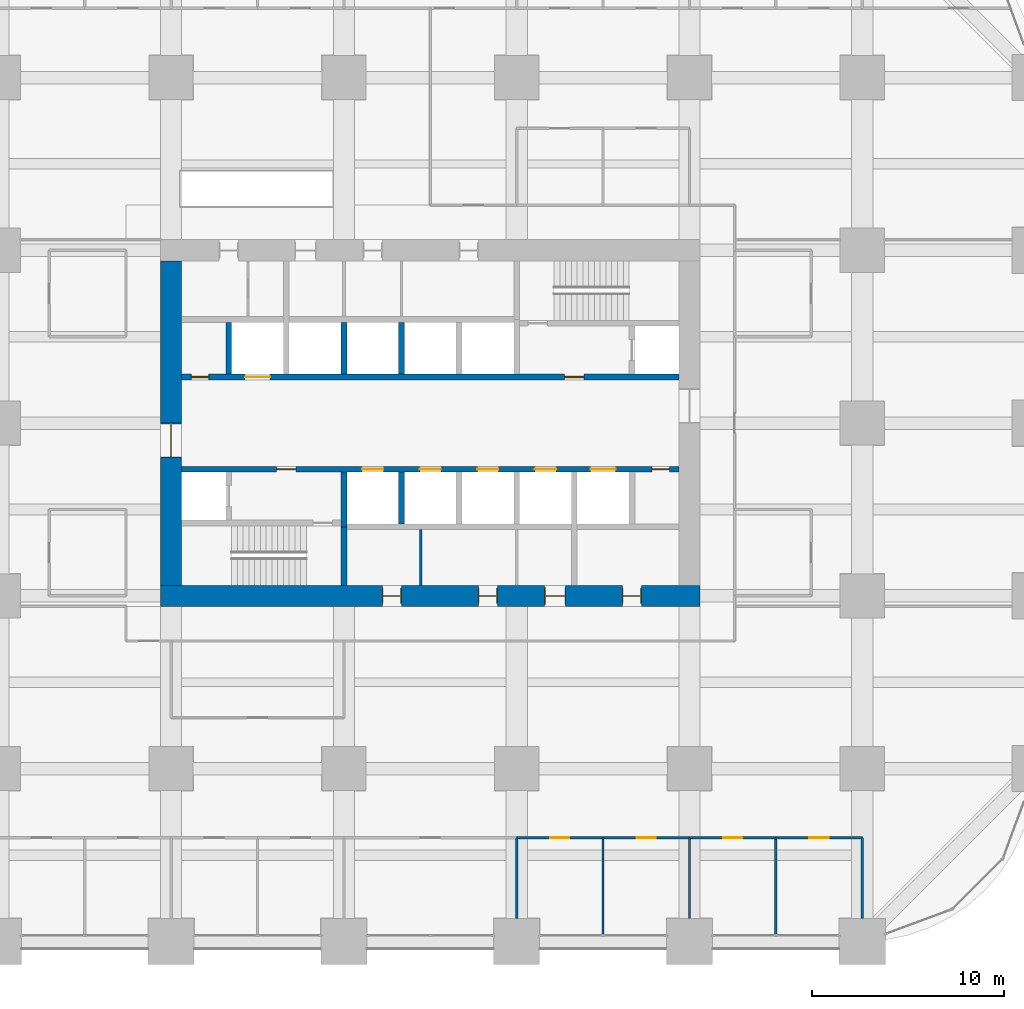
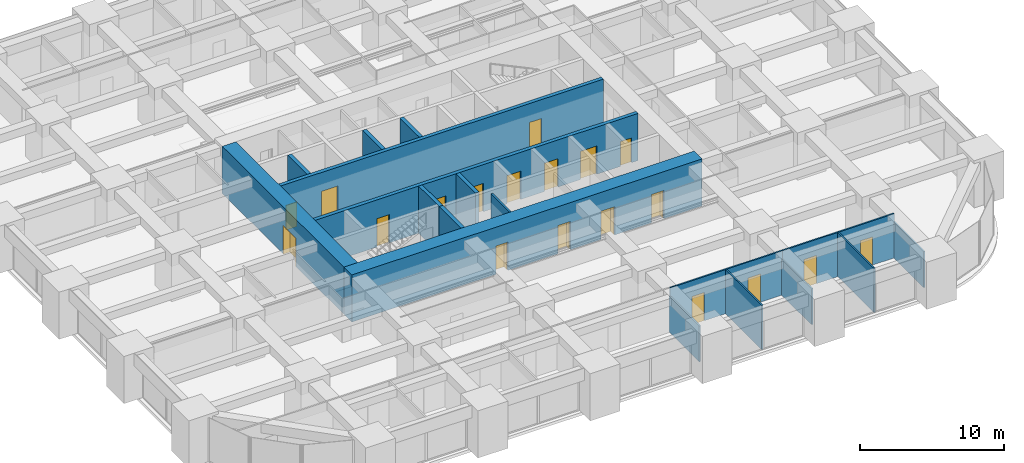
# One storey, part 40 of 44: 20 walls, 19 doors, 19 openings.
"""IFC4 building model written with IfcOpenShell, lengths in metres."""

from ifc_helpers import new_model, si_unit, direction, frame, frame_2d, origin, place, context, subcontext, project, spatial, rectangle, extrude, material, layer, layer_set, type_object, element, fill, save


model = new_model("IFC4")

# Units and contexts
model_context = context("Model", 3, precision=1e-05, world=origin(), true_north=direction((0.0, 1.0)))
body_context = subcontext(model_context, "Body", "Model", "MODEL_VIEW")
ifc_project = project(units=[si_unit("LENGTHUNIT", "METRE"), si_unit("AREAUNIT", "SQUARE_METRE"), si_unit("VOLUMEUNIT", "CUBIC_METRE"), si_unit("PLANEANGLEUNIT", "RADIAN"), si_unit("MASSUNIT", "GRAM", prefix="KILO")], contexts=[model_context])

# Site, building, storey
site_placement = place(None, origin())
site = spatial("IfcSite", under=ifc_project, at=site_placement, CompositionType="ELEMENT")
building_placement = place(site_placement, origin())
building = spatial("IfcBuilding", under=site, at=building_placement, Name="Zorevar Civic Tower", CompositionType="ELEMENT")
storey_placement = place(building_placement, frame((0.0, 0.0, 43.800048828125)))
storey = spatial("IfcBuildingStorey", under=building, at=storey_placement, Name="L10", CompositionType="ELEMENT", Elevation=43.800048828125)

# Wall, openings, doors
ifc_material_1 = material(Name="Concrete C50/60", Category="concrete")
ifc_layer_1 = layer(ifc_material_1, 1.10009765625)
ifc_layer_set_1 = layer_set([ifc_layer_1], Name="Core wall 1100")
wall_type_1 = type_object("IfcWallType", Name="Core wall 1100", PredefinedType="SHEAR", material=ifc_layer_set_1)
wall_1_placement = place(storey_placement, frame((17.449951171875, 18.0, 0.0), z_axis=(0.0, 0.0, 1.0), x_axis=(1.0, 0.0, 0.0)))
wall_1 = element("IfcWall", 1, at=wall_1_placement, inside=storey, type_object=wall_type_1, Name="Core wall S L10", PredefinedType="SHEAR", context=body_context, shape_type="SweptSolid", body=[
    extrude(rectangle(XDim=28.10009765625, YDim=1.10009765625, at=frame_2d((14.050048828125, 0.0))), origin(), (0.0, 0.0, 1.0), 4.0),
])
opening_1_placement = place(wall_1_placement, frame((11.550048828125, 0.0, 0.0)))
opening_1 = element("IfcOpeningElement", 2, at=opening_1_placement, cuts=wall_1, Name="Opening L10.03", PredefinedType="OPENING", context=body_context, shape_type="SweptSolid", body=[
    extrude(rectangle(XDim=1.0, YDim=2.39990234375, at=frame_2d((0.5, 1.199951171875))), frame((0.0, 0.56005859375, 0.0), z_axis=(0.0, -1.0, 0.0), x_axis=(1.0, 0.0, 0.0)), (0.0, 0.0, 1.0), 1.1201171875),
])
opening_2_placement = place(wall_1_placement, frame((16.550048828125, 0.0, 0.0)))
opening_2 = element("IfcOpeningElement", 3, at=opening_2_placement, cuts=wall_1, Name="Opening L10.04", PredefinedType="OPENING", context=body_context, shape_type="SweptSolid", body=[
    extrude(rectangle(XDim=1.0, YDim=2.39990234375, at=frame_2d((0.5, 1.199951171875))), frame((0.0, 0.56005859375, 0.0), z_axis=(0.0, -1.0, 0.0), x_axis=(1.0, 0.0, 0.0)), (0.0, 0.0, 1.0), 1.1201171875),
])
opening_3_placement = place(wall_1_placement, frame((20.0, 0.0, 0.0)))
opening_3 = element("IfcOpeningElement", 4, at=opening_3_placement, cuts=wall_1, Name="Opening L10.05", PredefinedType="OPENING", context=body_context, shape_type="SweptSolid", body=[
    extrude(rectangle(XDim=1.10009765625, YDim=2.39990234375, at=frame_2d((0.550048828125, 1.199951171875))), frame((0.0, 0.56005859375, 0.0), z_axis=(0.0, -1.0, 0.0), x_axis=(1.0, 0.0, 0.0)), (0.0, 0.0, 1.0), 1.1201171875),
])
opening_4_placement = place(wall_1_placement, frame((24.050048828125, 0.0, 0.0)))
opening_4 = element("IfcOpeningElement", 5, at=opening_4_placement, cuts=wall_1, Name="Opening L10.06", PredefinedType="OPENING", context=body_context, shape_type="SweptSolid", body=[
    extrude(rectangle(XDim=1.0, YDim=2.39990234375, at=frame_2d((0.5, 1.199951171875))), frame((0.0, 0.56005859375, 0.0), z_axis=(0.0, -1.0, 0.0), x_axis=(1.0, 0.0, 0.0)), (0.0, 0.0, 1.0), 1.1201171875),
])
ifc_material_2 = material(Name="Timber door set", Category="wood")
door_type_1 = type_object("IfcDoorType", Name="Door D1 1000x2400", OperationType="SINGLE_SWING_LEFT", PredefinedType="DOOR", material=ifc_material_2)
door_1_placement = place(opening_1_placement, origin())
door_1 = element("IfcDoor", 6, at=door_1_placement, inside=storey, type_object=door_type_1, Name="Door L10 02", OperationType="SINGLE_SWING_RIGHT", OverallHeight=2.39990234375, OverallWidth=1.0, PredefinedType="DOOR", context=body_context, shape_type="SweptSolid", body=[
    extrude(rectangle(XDim=1.0, YDim=2.39990234375, at=frame_2d((0.5, 1.199951171875))), frame((0.0, 0.02490234375, 0.0), z_axis=(0.0, -1.0, 0.0), x_axis=(1.0, 0.0, 0.0)), (0.0, 0.0, 1.0), 0.050048828125),
    extrude(rectangle(XDim=0.04, YDim=2.39990234375, at=frame_2d((0.02001953125, 1.199951171875))), frame((0.0, 0.39990234375, 0.0), z_axis=(0.0, -1.0, 0.0), x_axis=(1.0, 0.0, 0.0)), (0.0, 0.0, 1.0), 0.800048828125),
    extrude(rectangle(XDim=0.04, YDim=2.39990234375, at=frame_2d((0.97998046875, 1.199951171875))), frame((0.0, 0.39990234375, 0.0), z_axis=(0.0, -1.0, 0.0), x_axis=(1.0, 0.0, 0.0)), (0.0, 0.0, 1.0), 0.800048828125),
    extrude(rectangle(XDim=1.0, YDim=0.04, at=frame_2d((0.5, 2.3798828125))), frame((0.0, 0.39990234375, 0.0), z_axis=(0.0, -1.0, 0.0), x_axis=(1.0, 0.0, 0.0)), (0.0, 0.0, 1.0), 0.800048828125),
])
fill(opening_1, door_1)
door_2_placement = place(opening_2_placement, origin())
door_2 = element("IfcDoor", 7, at=door_2_placement, inside=storey, type_object=door_type_1, Name="Door L10 03", OperationType="SINGLE_SWING_LEFT", OverallHeight=2.39990234375, OverallWidth=1.0, PredefinedType="DOOR", context=body_context, shape_type="SweptSolid", body=[
    extrude(rectangle(XDim=1.0, YDim=2.39990234375, at=frame_2d((0.5, 1.199951171875))), frame((0.0, 0.02490234375, 0.0), z_axis=(0.0, -1.0, 0.0), x_axis=(1.0, 0.0, 0.0)), (0.0, 0.0, 1.0), 0.050048828125),
    extrude(rectangle(XDim=0.04, YDim=2.39990234375, at=frame_2d((0.02001953125, 1.199951171875))), frame((0.0, 0.39990234375, 0.0), z_axis=(0.0, -1.0, 0.0), x_axis=(1.0, 0.0, 0.0)), (0.0, 0.0, 1.0), 0.800048828125),
    extrude(rectangle(XDim=0.04, YDim=2.39990234375, at=frame_2d((0.97998046875, 1.199951171875))), frame((0.0, 0.39990234375, 0.0), z_axis=(0.0, -1.0, 0.0), x_axis=(1.0, 0.0, 0.0)), (0.0, 0.0, 1.0), 0.800048828125),
    extrude(rectangle(XDim=1.0, YDim=0.04, at=frame_2d((0.5, 2.3798828125))), frame((0.0, 0.39990234375, 0.0), z_axis=(0.0, -1.0, 0.0), x_axis=(1.0, 0.0, 0.0)), (0.0, 0.0, 1.0), 0.800048828125),
])
fill(opening_2, door_2)
door_3_placement = place(opening_4_placement, origin())
door_3 = element("IfcDoor", 8, at=door_3_placement, inside=storey, type_object=door_type_1, Name="Door L10 05", OperationType="SINGLE_SWING_LEFT", OverallHeight=2.39990234375, OverallWidth=1.0, PredefinedType="DOOR", context=body_context, shape_type="SweptSolid", body=[
    extrude(rectangle(XDim=1.0, YDim=2.39990234375, at=frame_2d((0.5, 1.199951171875))), frame((0.0, 0.02490234375, 0.0), z_axis=(0.0, -1.0, 0.0), x_axis=(1.0, 0.0, 0.0)), (0.0, 0.0, 1.0), 0.050048828125),
    extrude(rectangle(XDim=0.04, YDim=2.39990234375, at=frame_2d((0.02001953125, 1.199951171875))), frame((0.0, 0.39990234375, 0.0), z_axis=(0.0, -1.0, 0.0), x_axis=(1.0, 0.0, 0.0)), (0.0, 0.0, 1.0), 0.800048828125),
    extrude(rectangle(XDim=0.04, YDim=2.39990234375, at=frame_2d((0.97998046875, 1.199951171875))), frame((0.0, 0.39990234375, 0.0), z_axis=(0.0, -1.0, 0.0), x_axis=(1.0, 0.0, 0.0)), (0.0, 0.0, 1.0), 0.800048828125),
    extrude(rectangle(XDim=1.0, YDim=0.04, at=frame_2d((0.5, 2.3798828125))), frame((0.0, 0.39990234375, 0.0), z_axis=(0.0, -1.0, 0.0), x_axis=(1.0, 0.0, 0.0)), (0.0, 0.0, 1.0), 0.800048828125),
])
fill(opening_4, door_3)
ifc_material_3 = material(Name="Timber door set", Category="wood")
door_type_2 = type_object("IfcDoorType", Name="Door D5 1100x2400", OperationType="SINGLE_SWING_LEFT", PredefinedType="DOOR", material=ifc_material_3)
door_4_placement = place(opening_3_placement, origin())
door_4 = element("IfcDoor", 9, at=door_4_placement, inside=storey, type_object=door_type_2, Name="Door L10 04", OperationType="SINGLE_SWING_LEFT", OverallHeight=2.39990234375, OverallWidth=1.10009765625, PredefinedType="DOOR", context=body_context, shape_type="SweptSolid", body=[
    extrude(rectangle(XDim=1.10009765625, YDim=2.39990234375, at=frame_2d((0.550048828125, 1.199951171875))), frame((0.0, 0.02490234375, 0.0), z_axis=(0.0, -1.0, 0.0), x_axis=(1.0, 0.0, 0.0)), (0.0, 0.0, 1.0), 0.050048828125),
    extrude(rectangle(XDim=0.04, YDim=2.39990234375, at=frame_2d((0.02001953125, 1.199951171875))), frame((0.0, 0.43994140625, 0.0), z_axis=(0.0, -1.0, 0.0), x_axis=(1.0, 0.0, 0.0)), (0.0, 0.0, 1.0), 0.880126953125),
    extrude(rectangle(XDim=0.04, YDim=2.39990234375, at=frame_2d((1.080078125, 1.199951171875))), frame((0.0, 0.43994140625, 0.0), z_axis=(0.0, -1.0, 0.0), x_axis=(1.0, 0.0, 0.0)), (0.0, 0.0, 1.0), 0.880126953125),
    extrude(rectangle(XDim=1.10009765625, YDim=0.04, at=frame_2d((0.550048828125, 2.3798828125))), frame((0.0, 0.43994140625, 0.0), z_axis=(0.0, -1.0, 0.0), x_axis=(1.0, 0.0, 0.0)), (0.0, 0.0, 1.0), 0.880126953125),
])
fill(opening_3, door_4)

# Wall, opening, door
wall_2_placement = place(storey_placement, frame((18.0, 35.449951171875, 0.0), z_axis=(0.0, 0.0, 1.0), x_axis=(0.0, -1.0, 0.0)))
wall_2 = element("IfcWall", 10, at=wall_2_placement, inside=storey, type_object=wall_type_1, Name="Core wall W L10", PredefinedType="SHEAR", context=body_context, shape_type="SweptSolid", body=[
    extrude(rectangle(XDim=16.89990234375, YDim=1.10009765625, at=frame_2d((8.449951171875, 0.0))), origin(), (0.0, 0.0, 1.0), 4.0),
])
opening_5_placement = place(wall_2_placement, frame((8.449951171875, 0.0, 0.0)))
opening_5 = element("IfcOpeningElement", 11, at=opening_5_placement, cuts=wall_2, Name="Opening L10.01", PredefinedType="OPENING", context=body_context, shape_type="SweptSolid", body=[
    extrude(rectangle(XDim=1.800048828125, YDim=2.39990234375, at=frame_2d((0.89990234375, 1.199951171875))), frame((0.0, 0.56005859375, 0.0), z_axis=(0.0, -1.0, 0.0), x_axis=(1.0, 0.0, 0.0)), (0.0, 0.0, 1.0), 1.1201171875),
])
ifc_material_4 = material(Name="Steel door set", Category="steel")
door_type_3 = type_object("IfcDoorType", Name="Fire door FD2 1800x2400", OperationType="DOUBLE_DOOR_DOUBLE_SWING", PredefinedType="DOOR", material=ifc_material_4)
door_5_placement = place(opening_5_placement, origin())
door_5 = element("IfcDoor", 12, at=door_5_placement, inside=storey, type_object=door_type_3, Name="Door L10 00", OperationType="DOUBLE_DOOR_DOUBLE_SWING", OverallHeight=2.39990234375, OverallWidth=1.800048828125, PredefinedType="DOOR", context=body_context, shape_type="SweptSolid", body=[
    extrude(rectangle(XDim=1.800048828125, YDim=2.39990234375, at=frame_2d((0.89990234375, 1.199951171875))), frame((0.0, 0.030029296875, 0.0), z_axis=(0.0, -1.0, 0.0), x_axis=(1.0, 0.0, 0.0)), (0.0, 0.0, 1.0), 0.06005859375),
    extrude(rectangle(XDim=0.04, YDim=2.39990234375, at=frame_2d((0.02001953125, 1.199951171875))), frame((0.0, 0.5498046875, 0.0), z_axis=(0.0, -1.0, 0.0), x_axis=(1.0, 0.0, 0.0)), (0.0, 0.0, 1.0), 1.099609375),
    extrude(rectangle(XDim=0.04, YDim=2.39990234375, at=frame_2d((1.780029296875, 1.199951171875))), frame((0.0, 0.5498046875, 0.0), z_axis=(0.0, -1.0, 0.0), x_axis=(1.0, 0.0, 0.0)), (0.0, 0.0, 1.0), 1.099609375),
    extrude(rectangle(XDim=1.800048828125, YDim=0.04, at=frame_2d((0.89990234375, 2.3798828125))), frame((0.0, 0.5498046875, 0.0), z_axis=(0.0, -1.0, 0.0), x_axis=(1.0, 0.0, 0.0)), (0.0, 0.0, 1.0), 1.099609375),
])
fill(opening_5, door_5)

# Wall
ifc_material_5 = material(Name="Concrete C40/50", Category="concrete")
ifc_layer_2 = layer(ifc_material_5, 0.300048828125)
ifc_layer_set_2 = layer_set([ifc_layer_2], Name="Inner core wall 300")
wall_type_2 = type_object("IfcWallType", Name="Inner core wall 300", PredefinedType="SHEAR", material=ifc_layer_set_2)
wall_3_placement = place(storey_placement, frame((27.0, 18.550048828125, 0.0), z_axis=(0.0, 0.0, 1.0), x_axis=(0.0, 1.0, 0.0)))
element("IfcWall", 13, at=wall_3_placement, inside=storey, type_object=wall_type_2, Name="Inner core wall S01 L10", PredefinedType="SHEAR", context=body_context, shape_type="SweptSolid", body=[
    extrude(rectangle(XDim=3.050048828125, YDim=0.300048828125, at=frame_2d((1.52490234375, 0.0))), origin(), (0.0, 0.0, 1.0), 4.0),
])

# Wall, openings, doors
wall_4_placement = place(storey_placement, frame((18.550048828125, 24.60009765625, 0.0), z_axis=(0.0, 0.0, 1.0), x_axis=(1.0, 0.0, 0.0)))
wall_4 = element("IfcWall", 14, at=wall_4_placement, inside=storey, type_object=wall_type_2, Name="Inner core wall S03 L10", PredefinedType="SHEAR", context=body_context, shape_type="SweptSolid", body=[
    extrude(rectangle(XDim=25.89990234375, YDim=0.300048828125, at=frame_2d((12.949951171875, 0.0))), origin(), (0.0, 0.0, 1.0), 4.0),
])
opening_6_placement = place(wall_4_placement, frame((4.949951171875, 0.0, 0.0)))
opening_6 = element("IfcOpeningElement", 15, at=opening_6_placement, cuts=wall_4, Name="Opening L10.13", PredefinedType="OPENING", context=body_context, shape_type="SweptSolid", body=[
    extrude(rectangle(XDim=1.0, YDim=2.39990234375, at=frame_2d((0.5, 1.199951171875))), frame((0.0, 0.159912109375, 0.0), z_axis=(0.0, -1.0, 0.0), x_axis=(1.0, 0.0, 0.0)), (0.0, 0.0, 1.0), 0.320068359375),
])
opening_7_placement = place(wall_4_placement, frame((24.5, 0.0, 0.0)))
opening_7 = element("IfcOpeningElement", 16, at=opening_7_placement, cuts=wall_4, Name="Opening L10.15", PredefinedType="OPENING", context=body_context, shape_type="SweptSolid", body=[
    extrude(rectangle(XDim=0.89990234375, YDim=2.10009765625, at=frame_2d((0.449951171875, 1.050048828125))), frame((0.0, 0.159912109375, 0.0), z_axis=(0.0, -1.0, 0.0), x_axis=(1.0, 0.0, 0.0)), (0.0, 0.0, 1.0), 0.320068359375),
])
opening_8_placement = place(wall_4_placement, frame((9.39990234375, 0.0, 0.0)))
opening_8 = element("IfcOpeningElement", 17, at=opening_8_placement, cuts=wall_4, Name="Opening L10.LP1", PredefinedType="OPENING", context=body_context, shape_type="SweptSolid", body=[
    extrude(rectangle(XDim=1.10009765625, YDim=2.39990234375, at=frame_2d((0.550048828125, 1.199951171875))), frame((0.0, 0.159912109375, 0.0), z_axis=(0.0, -1.0, 0.0), x_axis=(1.0, 0.0, 0.0)), (0.0, 0.0, 1.0), 0.320068359375),
])
opening_9_placement = place(wall_4_placement, frame((12.39990234375, 0.0, 0.0)))
opening_9 = element("IfcOpeningElement", 18, at=opening_9_placement, cuts=wall_4, Name="Opening L10.LP2", PredefinedType="OPENING", context=body_context, shape_type="SweptSolid", body=[
    extrude(rectangle(XDim=1.10009765625, YDim=2.39990234375, at=frame_2d((0.550048828125, 1.199951171875))), frame((0.0, 0.159912109375, 0.0), z_axis=(0.0, -1.0, 0.0), x_axis=(1.0, 0.0, 0.0)), (0.0, 0.0, 1.0), 0.320068359375),
])
opening_10_placement = place(wall_4_placement, frame((15.39990234375, 0.0, 0.0)))
opening_10 = element("IfcOpeningElement", 19, at=opening_10_placement, cuts=wall_4, Name="Opening L10.LP3", PredefinedType="OPENING", context=body_context, shape_type="SweptSolid", body=[
    extrude(rectangle(XDim=1.10009765625, YDim=2.39990234375, at=frame_2d((0.550048828125, 1.199951171875))), frame((0.0, 0.159912109375, 0.0), z_axis=(0.0, -1.0, 0.0), x_axis=(1.0, 0.0, 0.0)), (0.0, 0.0, 1.0), 0.320068359375),
])
opening_11_placement = place(wall_4_placement, frame((18.39990234375, 0.0, 0.0)))
opening_11 = element("IfcOpeningElement", 20, at=opening_11_placement, cuts=wall_4, Name="Opening L10.LP4", PredefinedType="OPENING", context=body_context, shape_type="SweptSolid", body=[
    extrude(rectangle(XDim=1.10009765625, YDim=2.39990234375, at=frame_2d((0.550048828125, 1.199951171875))), frame((0.0, 0.159912109375, 0.0), z_axis=(0.0, -1.0, 0.0), x_axis=(1.0, 0.0, 0.0)), (0.0, 0.0, 1.0), 0.320068359375),
])
opening_12_placement = place(wall_4_placement, frame((21.300048828125, 0.0, 0.0)))
opening_12 = element("IfcOpeningElement", 21, at=opening_12_placement, cuts=wall_4, Name="Opening L10.SL1", PredefinedType="OPENING", context=body_context, shape_type="SweptSolid", body=[
    extrude(rectangle(XDim=1.300048828125, YDim=2.39990234375, at=frame_2d((0.64990234375, 1.199951171875))), frame((0.0, 0.159912109375, 0.0), z_axis=(0.0, -1.0, 0.0), x_axis=(1.0, 0.0, 0.0)), (0.0, 0.0, 1.0), 0.320068359375),
])
ifc_material_6 = material(Name="Steel door set", Category="steel")
door_type_4 = type_object("IfcDoorType", Name="Fire door FD1 1000x2400", OperationType="SINGLE_SWING_LEFT", PredefinedType="DOOR", material=ifc_material_6)
door_6_placement = place(opening_6_placement, origin())
door_6 = element("IfcDoor", 22, at=door_6_placement, inside=storey, type_object=door_type_4, Name="Door L10 12", OperationType="SINGLE_SWING_RIGHT", OverallHeight=2.39990234375, OverallWidth=1.0, PredefinedType="DOOR", context=body_context, shape_type="SweptSolid", body=[
    extrude(rectangle(XDim=1.0, YDim=2.39990234375, at=frame_2d((0.5, 1.199951171875))), frame((0.0, 0.030029296875, 0.0), z_axis=(0.0, -1.0, 0.0), x_axis=(1.0, 0.0, 0.0)), (0.0, 0.0, 1.0), 0.06005859375),
])
fill(opening_6, door_6)
ifc_material_7 = material(Name="Steel door set", Category="steel")
door_type_5 = type_object("IfcDoorType", Name="Landing door LD1 1100x2400", OperationType="DOUBLE_DOOR_SLIDING", PredefinedType="DOOR", material=ifc_material_7)
door_7_placement = place(opening_8_placement, origin())
door_7 = element("IfcDoor", 23, at=door_7_placement, inside=storey, type_object=door_type_5, Name="Landing door LP1 L10", OperationType="DOUBLE_DOOR_SLIDING", OverallHeight=2.39990234375, OverallWidth=1.10009765625, PredefinedType="DOOR", context=body_context, shape_type="SweptSolid", body=[
    extrude(rectangle(XDim=1.10009765625, YDim=2.39990234375, at=frame_2d((0.550048828125, 1.199951171875))), frame((0.0, 0.02001953125, 0.0), z_axis=(0.0, -1.0, 0.0), x_axis=(1.0, 0.0, 0.0)), (0.0, 0.0, 1.0), 0.0400390625),
])
fill(opening_8, door_7)
door_8_placement = place(opening_9_placement, origin())
door_8 = element("IfcDoor", 24, at=door_8_placement, inside=storey, type_object=door_type_5, Name="Landing door LP2 L10", OperationType="DOUBLE_DOOR_SLIDING", OverallHeight=2.39990234375, OverallWidth=1.10009765625, PredefinedType="DOOR", context=body_context, shape_type="SweptSolid", body=[
    extrude(rectangle(XDim=1.10009765625, YDim=2.39990234375, at=frame_2d((0.550048828125, 1.199951171875))), frame((0.0, 0.02001953125, 0.0), z_axis=(0.0, -1.0, 0.0), x_axis=(1.0, 0.0, 0.0)), (0.0, 0.0, 1.0), 0.0400390625),
])
fill(opening_9, door_8)
door_9_placement = place(opening_10_placement, origin())
door_9 = element("IfcDoor", 25, at=door_9_placement, inside=storey, type_object=door_type_5, Name="Landing door LP3 L10", OperationType="DOUBLE_DOOR_SLIDING", OverallHeight=2.39990234375, OverallWidth=1.10009765625, PredefinedType="DOOR", context=body_context, shape_type="SweptSolid", body=[
    extrude(rectangle(XDim=1.10009765625, YDim=2.39990234375, at=frame_2d((0.550048828125, 1.199951171875))), frame((0.0, 0.02001953125, 0.0), z_axis=(0.0, -1.0, 0.0), x_axis=(1.0, 0.0, 0.0)), (0.0, 0.0, 1.0), 0.0400390625),
])
fill(opening_10, door_9)
door_10_placement = place(opening_11_placement, origin())
door_10 = element("IfcDoor", 26, at=door_10_placement, inside=storey, type_object=door_type_5, Name="Landing door LP4 L10", OperationType="DOUBLE_DOOR_SLIDING", OverallHeight=2.39990234375, OverallWidth=1.10009765625, PredefinedType="DOOR", context=body_context, shape_type="SweptSolid", body=[
    extrude(rectangle(XDim=1.10009765625, YDim=2.39990234375, at=frame_2d((0.550048828125, 1.199951171875))), frame((0.0, 0.02001953125, 0.0), z_axis=(0.0, -1.0, 0.0), x_axis=(1.0, 0.0, 0.0)), (0.0, 0.0, 1.0), 0.0400390625),
])
fill(opening_11, door_10)
ifc_material_8 = material(Name="Steel door set", Category="steel")
door_type_6 = type_object("IfcDoorType", Name="Landing door LD2 1300x2400", OperationType="DOUBLE_DOOR_SLIDING", PredefinedType="DOOR", material=ifc_material_8)
door_11_placement = place(opening_12_placement, origin())
door_11 = element("IfcDoor", 27, at=door_11_placement, inside=storey, type_object=door_type_6, Name="Landing door SL1 L10", OperationType="DOUBLE_DOOR_SLIDING", OverallHeight=2.39990234375, OverallWidth=1.300048828125, PredefinedType="DOOR", context=body_context, shape_type="SweptSolid", body=[
    extrude(rectangle(XDim=1.300048828125, YDim=2.39990234375, at=frame_2d((0.64990234375, 1.199951171875))), frame((0.0, 0.02001953125, 0.0), z_axis=(0.0, -1.0, 0.0), x_axis=(1.0, 0.0, 0.0)), (0.0, 0.0, 1.0), 0.0400390625),
])
fill(opening_12, door_11)
ifc_material_9 = material(Name="Steel door set", Category="steel")
door_type_7 = type_object("IfcDoorType", Name="Riser door RD1 900x2100", OperationType="SINGLE_SWING_LEFT", PredefinedType="DOOR", material=ifc_material_9)
door_12_placement = place(opening_7_placement, origin())
door_12 = element("IfcDoor", 28, at=door_12_placement, inside=storey, type_object=door_type_7, Name="Door L10 14", OperationType="SINGLE_SWING_RIGHT", OverallHeight=2.10009765625, OverallWidth=0.89990234375, PredefinedType="DOOR", context=body_context, shape_type="SweptSolid", body=[
    extrude(rectangle(XDim=0.89990234375, YDim=2.10009765625, at=frame_2d((0.449951171875, 1.050048828125))), frame((0.0, 0.030029296875, 0.0), z_axis=(0.0, -1.0, 0.0), x_axis=(1.0, 0.0, 0.0)), (0.0, 0.0, 1.0), 0.06005859375),
])
fill(opening_7, door_12)

wall_5_placement = place(storey_placement, frame((18.550048828125, 29.39990234375, 0.0), z_axis=(0.0, 0.0, 1.0), x_axis=(1.0, 0.0, 0.0)))
wall_5 = element("IfcWall", 29, at=wall_5_placement, inside=storey, type_object=wall_type_2, Name="Inner core wall N03 L10", PredefinedType="SHEAR", context=body_context, shape_type="SweptSolid", body=[
    extrude(rectangle(XDim=25.89990234375, YDim=0.300048828125, at=frame_2d((12.949951171875, 0.0))), origin(), (0.0, 0.0, 1.0), 4.0),
])
opening_13_placement = place(wall_5_placement, frame((19.949951171875, 0.0, 0.0)))
opening_13 = element("IfcOpeningElement", 30, at=opening_13_placement, cuts=wall_5, Name="Opening L10.14", PredefinedType="OPENING", context=body_context, shape_type="SweptSolid", body=[
    extrude(rectangle(XDim=1.0, YDim=2.39990234375, at=frame_2d((0.5, 1.199951171875))), frame((0.0, 0.159912109375, 0.0), z_axis=(0.0, -1.0, 0.0), x_axis=(1.0, 0.0, 0.0)), (0.0, 0.0, 1.0), 0.320068359375),
])
opening_14_placement = place(wall_5_placement, frame((0.5, 0.0, 0.0)))
opening_14 = element("IfcOpeningElement", 31, at=opening_14_placement, cuts=wall_5, Name="Opening L10.16", PredefinedType="OPENING", context=body_context, shape_type="SweptSolid", body=[
    extrude(rectangle(XDim=0.89990234375, YDim=2.10009765625, at=frame_2d((0.449951171875, 1.050048828125))), frame((0.0, 0.159912109375, 0.0), z_axis=(0.0, -1.0, 0.0), x_axis=(1.0, 0.0, 0.0)), (0.0, 0.0, 1.0), 0.320068359375),
])
opening_15_placement = place(wall_5_placement, frame((3.300048828125, 0.0, 0.0)))
opening_15 = element("IfcOpeningElement", 32, at=opening_15_placement, cuts=wall_5, Name="Opening L10.SL2", PredefinedType="OPENING", context=body_context, shape_type="SweptSolid", body=[
    extrude(rectangle(XDim=1.300048828125, YDim=2.39990234375, at=frame_2d((0.64990234375, 1.199951171875))), frame((0.0, 0.159912109375, 0.0), z_axis=(0.0, -1.0, 0.0), x_axis=(1.0, 0.0, 0.0)), (0.0, 0.0, 1.0), 0.320068359375),
])
door_13_placement = place(opening_13_placement, origin())
door_13 = element("IfcDoor", 33, at=door_13_placement, inside=storey, type_object=door_type_4, Name="Door L10 13", OperationType="SINGLE_SWING_RIGHT", OverallHeight=2.39990234375, OverallWidth=1.0, PredefinedType="DOOR", context=body_context, shape_type="SweptSolid", body=[
    extrude(rectangle(XDim=1.0, YDim=2.39990234375, at=frame_2d((0.5, 1.199951171875))), frame((0.0, 0.030029296875, 0.0), z_axis=(0.0, -1.0, 0.0), x_axis=(1.0, 0.0, 0.0)), (0.0, 0.0, 1.0), 0.06005859375),
])
fill(opening_13, door_13)
door_14_placement = place(opening_15_placement, origin())
door_14 = element("IfcDoor", 34, at=door_14_placement, inside=storey, type_object=door_type_6, Name="Landing door SL2 L10", OperationType="DOUBLE_DOOR_SLIDING", OverallHeight=2.39990234375, OverallWidth=1.300048828125, PredefinedType="DOOR", context=body_context, shape_type="SweptSolid", body=[
    extrude(rectangle(XDim=1.300048828125, YDim=2.39990234375, at=frame_2d((0.64990234375, 1.199951171875))), frame((0.0, 0.02001953125, 0.0), z_axis=(0.0, -1.0, 0.0), x_axis=(1.0, 0.0, 0.0)), (0.0, 0.0, 1.0), 0.0400390625),
])
fill(opening_15, door_14)
door_15_placement = place(opening_14_placement, origin())
door_15 = element("IfcDoor", 35, at=door_15_placement, inside=storey, type_object=door_type_7, Name="Door L10 15", OperationType="SINGLE_SWING_RIGHT", OverallHeight=2.10009765625, OverallWidth=0.89990234375, PredefinedType="DOOR", context=body_context, shape_type="SweptSolid", body=[
    extrude(rectangle(XDim=0.89990234375, YDim=2.10009765625, at=frame_2d((0.449951171875, 1.050048828125))), frame((0.0, 0.030029296875, 0.0), z_axis=(0.0, -1.0, 0.0), x_axis=(1.0, 0.0, 0.0)), (0.0, 0.0, 1.0), 0.06005859375),
])
fill(opening_14, door_15)

# Walls
for number, where, z_axis, x_axis, name in (
    (36, (30.0, 21.75, 0.0), (0.0, 0.0, 1.0), (0.0, 1.0, 0.0), "Inner core wall S05 L10"),
    (37, (30.0, 29.550048828125, 0.0), (0.0, 0.0, 1.0), (0.0, 1.0, 0.0), "Inner core wall N06 L10"),
    (38, (27.0, 29.550048828125, 0.0), (0.0, 0.0, 1.0), (0.0, 1.0, 0.0), "Inner core wall N07 L10"),
    (39, (21.0, 29.550048828125, 0.0), (0.0, 0.0, 1.0), (0.0, 1.0, 0.0), "Inner core wall N09 L10"),
):
    element("IfcWall", number, at=place(storey_placement, frame(where, z_axis=z_axis, x_axis=x_axis)), inside=storey, type_object=wall_type_2, Name=name, PredefinedType="SHEAR", context=body_context, shape_type="SweptSolid", body=[
        extrude(rectangle(XDim=2.699951171875, YDim=0.300048828125, at=frame_2d((1.35009765625, 0.0))), origin(), (0.0, 0.0, 1.0), 4.0),
    ])
wall_6_placement = place(storey_placement, frame((27.0, 21.60009765625, 0.0), z_axis=(0.0, 0.0, 1.0), x_axis=(0.0, 1.0, 0.0)))
element("IfcWall", 40, at=wall_6_placement, inside=storey, type_object=wall_type_2, Name="Inner core wall S10 L10", PredefinedType="SHEAR", context=body_context, shape_type="SweptSolid", body=[
    extrude(rectangle(XDim=2.849853515625, YDim=0.300048828125, at=frame_2d((1.4248046875, 0.0))), origin(), (0.0, 0.0, 1.0), 4.0),
])

# Wall, opening, door
ifc_material_10 = material(Name="Gypsum board on steel studs", Category="steel")
ifc_layer_3 = layer(ifc_material_10, 0.1201171875)
ifc_layer_set_3 = layer_set([ifc_layer_3], Name="Partition 120")
wall_type_3 = type_object("IfcWallType", Name="Partition 120", PredefinedType="PARTITIONING", material=ifc_layer_set_3)
wall_7_placement = place(storey_placement, frame((36.0, 5.39990234375, 0.0), z_axis=(0.0, 0.0, 1.0), x_axis=(1.0, 0.0, 0.0)))
wall_7 = element("IfcWall", 41, at=wall_7_placement, inside=storey, type_object=wall_type_3, Name="Partition 120 L10", PredefinedType="PARTITIONING", context=body_context, shape_type="SweptSolid", body=[
    extrude(rectangle(XDim=4.5, YDim=0.1201171875, at=frame_2d((2.25, 0.0))), origin(), (0.0, 0.0, 1.0), 3.75),
])
opening_16_placement = place(wall_7_placement, frame((1.75, 0.0, 0.0)))
opening_16 = element("IfcOpeningElement", 42, at=opening_16_placement, cuts=wall_7, Name="Opening L10.22", PredefinedType="OPENING", context=body_context, shape_type="SweptSolid", body=[
    extrude(rectangle(XDim=1.0, YDim=2.39990234375, at=frame_2d((0.5, 1.199951171875))), frame((0.0, 0.070068359375, 0.0), z_axis=(0.0, -1.0, 0.0), x_axis=(1.0, 0.0, 0.0)), (0.0, 0.0, 1.0), 0.14013671875),
])
door_16_placement = place(opening_16_placement, origin())
door_16 = element("IfcDoor", 43, at=door_16_placement, inside=storey, type_object=door_type_1, Name="Door L10 D1", OperationType="SINGLE_SWING_LEFT", OverallHeight=2.39990234375, OverallWidth=1.0, PredefinedType="DOOR", context=body_context, shape_type="SweptSolid", body=[
    extrude(rectangle(XDim=1.0, YDim=2.39990234375, at=frame_2d((0.5, 1.199951171875))), frame((0.0, 0.02490234375, 0.0), z_axis=(0.0, -1.0, 0.0), x_axis=(1.0, 0.0, 0.0)), (0.0, 0.0, 1.0), 0.050048828125),
])
fill(opening_16, door_16)

wall_8_placement = place(storey_placement, frame((40.5, 5.39990234375, 0.0), z_axis=(0.0, 0.0, 1.0), x_axis=(1.0, 0.0, 0.0)))
wall_8 = element("IfcWall", 44, at=wall_8_placement, inside=storey, type_object=wall_type_3, Name="Partition 120 L10", PredefinedType="PARTITIONING", context=body_context, shape_type="SweptSolid", body=[
    extrude(rectangle(XDim=4.5, YDim=0.1201171875, at=frame_2d((2.25, 0.0))), origin(), (0.0, 0.0, 1.0), 3.75),
])
opening_17_placement = place(wall_8_placement, frame((1.75, 0.0, 0.0)))
opening_17 = element("IfcOpeningElement", 45, at=opening_17_placement, cuts=wall_8, Name="Opening L10.23", PredefinedType="OPENING", context=body_context, shape_type="SweptSolid", body=[
    extrude(rectangle(XDim=1.0, YDim=2.39990234375, at=frame_2d((0.5, 1.199951171875))), frame((0.0, 0.070068359375, 0.0), z_axis=(0.0, -1.0, 0.0), x_axis=(1.0, 0.0, 0.0)), (0.0, 0.0, 1.0), 0.14013671875),
])
door_17_placement = place(opening_17_placement, origin())
door_17 = element("IfcDoor", 46, at=door_17_placement, inside=storey, type_object=door_type_1, Name="Door L10 D1", OperationType="SINGLE_SWING_LEFT", OverallHeight=2.39990234375, OverallWidth=1.0, PredefinedType="DOOR", context=body_context, shape_type="SweptSolid", body=[
    extrude(rectangle(XDim=1.0, YDim=2.39990234375, at=frame_2d((0.5, 1.199951171875))), frame((0.0, 0.02490234375, 0.0), z_axis=(0.0, -1.0, 0.0), x_axis=(1.0, 0.0, 0.0)), (0.0, 0.0, 1.0), 0.050048828125),
])
fill(opening_17, door_17)

wall_9_placement = place(storey_placement, frame((45.0, 5.39990234375, 0.0), z_axis=(0.0, 0.0, 1.0), x_axis=(1.0, 0.0, 0.0)))
wall_9 = element("IfcWall", 47, at=wall_9_placement, inside=storey, type_object=wall_type_3, Name="Partition 120 L10", PredefinedType="PARTITIONING", context=body_context, shape_type="SweptSolid", body=[
    extrude(rectangle(XDim=4.5, YDim=0.1201171875, at=frame_2d((2.25, 0.0))), origin(), (0.0, 0.0, 1.0), 3.75),
])
opening_18_placement = place(wall_9_placement, frame((1.75, 0.0, 0.0)))
opening_18 = element("IfcOpeningElement", 48, at=opening_18_placement, cuts=wall_9, Name="Opening L10.24", PredefinedType="OPENING", context=body_context, shape_type="SweptSolid", body=[
    extrude(rectangle(XDim=1.0, YDim=2.39990234375, at=frame_2d((0.5, 1.199951171875))), frame((0.0, 0.070068359375, 0.0), z_axis=(0.0, -1.0, 0.0), x_axis=(1.0, 0.0, 0.0)), (0.0, 0.0, 1.0), 0.14013671875),
])
door_18_placement = place(opening_18_placement, origin())
door_18 = element("IfcDoor", 49, at=door_18_placement, inside=storey, type_object=door_type_1, Name="Door L10 D1", OperationType="SINGLE_SWING_LEFT", OverallHeight=2.39990234375, OverallWidth=1.0, PredefinedType="DOOR", context=body_context, shape_type="SweptSolid", body=[
    extrude(rectangle(XDim=1.0, YDim=2.39990234375, at=frame_2d((0.5, 1.199951171875))), frame((0.0, 0.02490234375, 0.0), z_axis=(0.0, -1.0, 0.0), x_axis=(1.0, 0.0, 0.0)), (0.0, 0.0, 1.0), 0.050048828125),
])
fill(opening_18, door_18)

wall_10_placement = place(storey_placement, frame((49.5, 5.39990234375, 0.0), z_axis=(0.0, 0.0, 1.0), x_axis=(1.0, 0.0, 0.0)))
wall_10 = element("IfcWall", 50, at=wall_10_placement, inside=storey, type_object=wall_type_3, Name="Partition 120 L10", PredefinedType="PARTITIONING", context=body_context, shape_type="SweptSolid", body=[
    extrude(rectangle(XDim=4.5, YDim=0.1201171875, at=frame_2d((2.25, 0.0))), origin(), (0.0, 0.0, 1.0), 3.75),
])
opening_19_placement = place(wall_10_placement, frame((1.75, 0.0, 0.0)))
opening_19 = element("IfcOpeningElement", 51, at=opening_19_placement, cuts=wall_10, Name="Opening L10.25", PredefinedType="OPENING", context=body_context, shape_type="SweptSolid", body=[
    extrude(rectangle(XDim=1.0, YDim=2.39990234375, at=frame_2d((0.5, 1.199951171875))), frame((0.0, 0.070068359375, 0.0), z_axis=(0.0, -1.0, 0.0), x_axis=(1.0, 0.0, 0.0)), (0.0, 0.0, 1.0), 0.14013671875),
])
door_19_placement = place(opening_19_placement, origin())
door_19 = element("IfcDoor", 52, at=door_19_placement, inside=storey, type_object=door_type_1, Name="Door L10 D1", OperationType="SINGLE_SWING_LEFT", OverallHeight=2.39990234375, OverallWidth=1.0, PredefinedType="DOOR", context=body_context, shape_type="SweptSolid", body=[
    extrude(rectangle(XDim=1.0, YDim=2.39990234375, at=frame_2d((0.5, 1.199951171875))), frame((0.0, 0.02490234375, 0.0), z_axis=(0.0, -1.0, 0.0), x_axis=(1.0, 0.0, 0.0)), (0.0, 0.0, 1.0), 0.050048828125),
])
fill(opening_19, door_19)

# Walls
wall_11_placement = place(storey_placement, frame((36.0, 1.199951171875, 0.0), z_axis=(0.0, 0.0, 1.0), x_axis=(0.0, 1.0, 0.0)))
element("IfcWall", 53, at=wall_11_placement, inside=storey, type_object=wall_type_3, Name="Partition 120 L10", PredefinedType="PARTITIONING", context=body_context, shape_type="SweptSolid", body=[
    extrude(rectangle(XDim=4.199951171875, YDim=0.1201171875, at=frame_2d((2.10009765625, 0.0))), origin(), (0.0, 0.0, 1.0), 3.050048828125),
])
wall_12_placement = place(storey_placement, frame((40.5, 0.31005859375, 0.0), z_axis=(0.0, 0.0, 1.0), x_axis=(0.0, 1.0, 0.0)))
element("IfcWall", 54, at=wall_12_placement, inside=storey, type_object=wall_type_3, Name="Partition 120 L10", PredefinedType="PARTITIONING", context=body_context, shape_type="SweptSolid", body=[
    extrude(rectangle(XDim=5.08984375, YDim=0.1201171875, at=frame_2d((2.544921875, 0.0))), origin(), (0.0, 0.0, 1.0), 3.75),
])
wall_13_placement = place(storey_placement, frame((45.0, 1.199951171875, 0.0), z_axis=(0.0, 0.0, 1.0), x_axis=(0.0, 1.0, 0.0)))
element("IfcWall", 55, at=wall_13_placement, inside=storey, type_object=wall_type_3, Name="Partition 120 L10", PredefinedType="PARTITIONING", context=body_context, shape_type="SweptSolid", body=[
    extrude(rectangle(XDim=4.199951171875, YDim=0.1201171875, at=frame_2d((2.10009765625, 0.0))), origin(), (0.0, 0.0, 1.0), 3.050048828125),
])
wall_14_placement = place(storey_placement, frame((49.5, 0.31005859375, 0.0), z_axis=(0.0, 0.0, 1.0), x_axis=(0.0, 1.0, 0.0)))
element("IfcWall", 56, at=wall_14_placement, inside=storey, type_object=wall_type_3, Name="Partition 120 L10", PredefinedType="PARTITIONING", context=body_context, shape_type="SweptSolid", body=[
    extrude(rectangle(XDim=5.08984375, YDim=0.1201171875, at=frame_2d((2.544921875, 0.0))), origin(), (0.0, 0.0, 1.0), 3.75),
])
wall_15_placement = place(storey_placement, frame((54.0, 1.199951171875, 0.0), z_axis=(0.0, 0.0, 1.0), x_axis=(0.0, 1.0, 0.0)))
element("IfcWall", 57, at=wall_15_placement, inside=storey, type_object=wall_type_3, Name="Partition 120 L10", PredefinedType="PARTITIONING", context=body_context, shape_type="SweptSolid", body=[
    extrude(rectangle(XDim=4.199951171875, YDim=0.1201171875, at=frame_2d((2.10009765625, 0.0))), origin(), (0.0, 0.0, 1.0), 3.050048828125),
])
ifc_material_11 = material(Name="Gypsum board on steel studs, moisture resistant", Category="steel")
ifc_layer_4 = layer(ifc_material_11, 0.14990234375)
ifc_layer_set_4 = layer_set([ifc_layer_4], Name="WC partition 150")
wall_type_4 = type_object("IfcWallType", Name="WC partition 150", PredefinedType="PARTITIONING", material=ifc_layer_set_4)
wall_16_placement = place(storey_placement, frame((31.0, 18.550048828125, 0.0), z_axis=(0.0, 0.0, 1.0), x_axis=(0.0, 1.0, 0.0)))
element("IfcWall", 58, at=wall_16_placement, inside=storey, type_object=wall_type_4, Name="WC partition L10", PredefinedType="PARTITIONING", context=body_context, shape_type="SweptSolid", body=[
    extrude(rectangle(XDim=2.89990234375, YDim=0.14990234375, at=frame_2d((1.449951171875, 0.0))), origin(), (0.0, 0.0, 1.0), 3.75),
])

save(model, "model.ifc")
